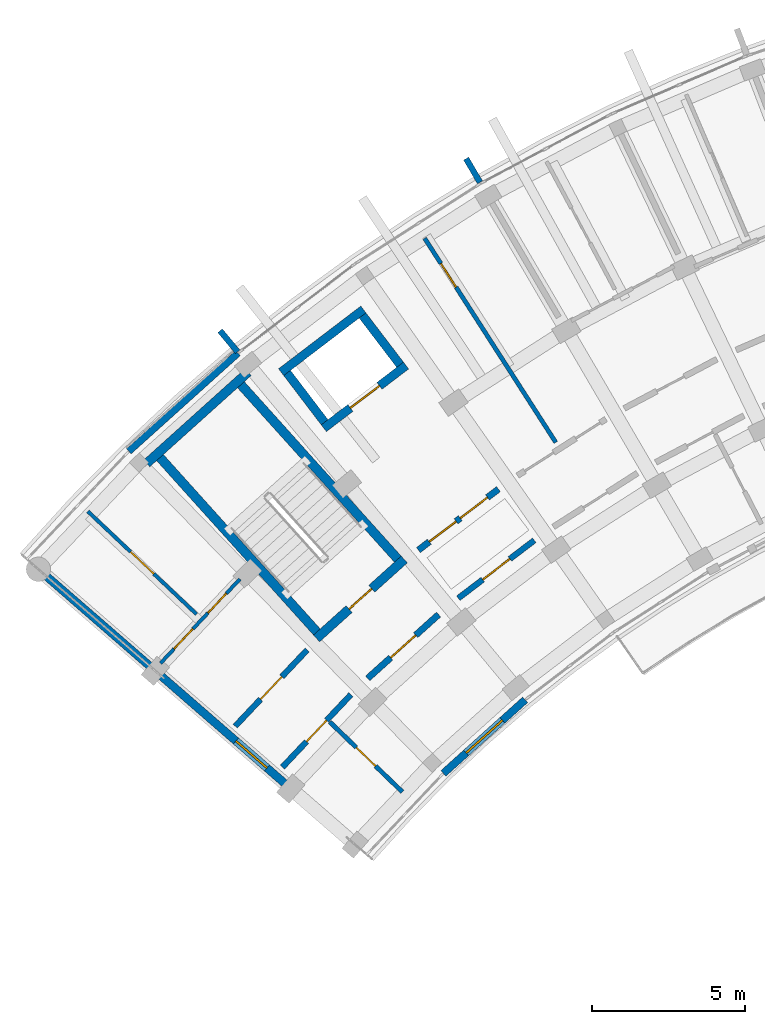
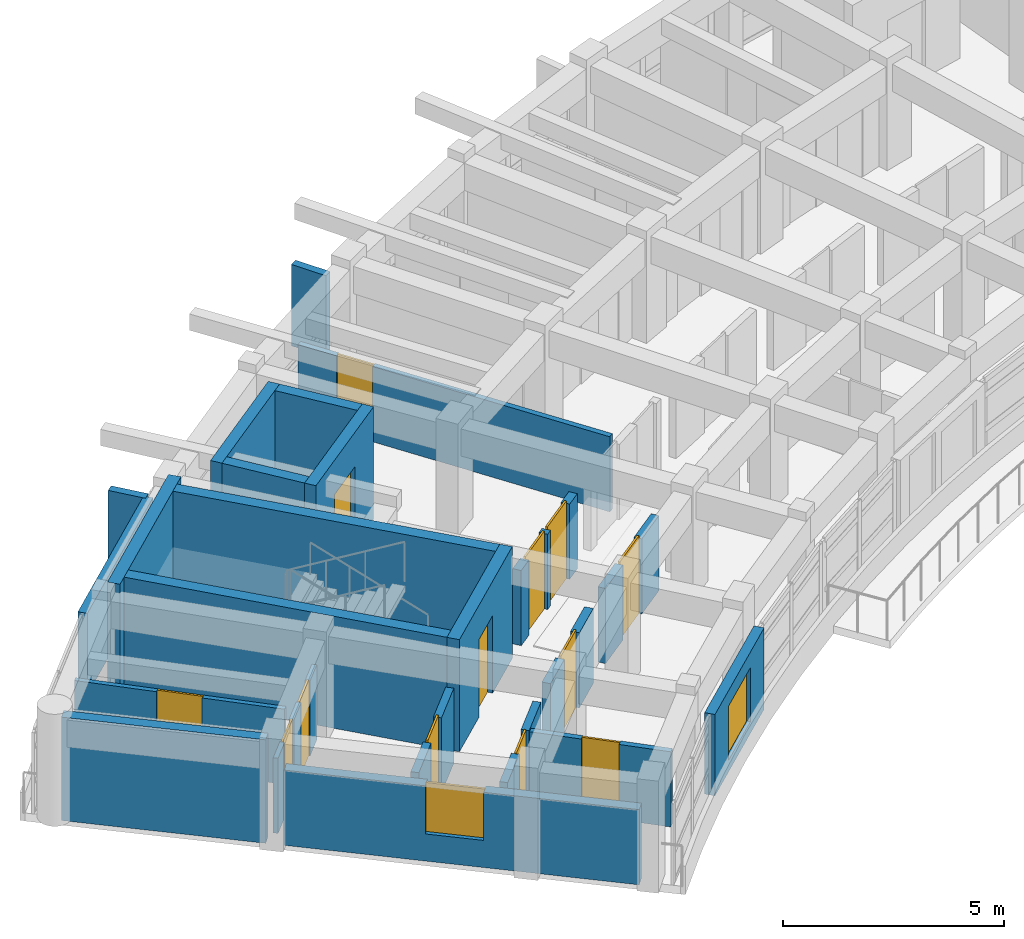
# One storey, part 27 of 56: 23 walls, 13 doors, 2 windows, 15 openings.
"""IFC4 building model written with IfcOpenShell, lengths in metres."""

from ifc_helpers import new_model, si_unit, direction, frame, frame_2d, origin, place, context, subcontext, project, spatial, rectangle, extrude, material, layer, layer_set, type_object, element, fill, save


model = new_model("IFC4")

# Units and contexts
model_context = context("Model", 3, precision=1e-05, world=origin(), true_north=direction((0.0, 1.0)))
body_context = subcontext(model_context, "Body", "Model", "MODEL_VIEW")
ifc_project = project(units=[si_unit("LENGTHUNIT", "METRE"), si_unit("AREAUNIT", "SQUARE_METRE"), si_unit("VOLUMEUNIT", "CUBIC_METRE"), si_unit("PLANEANGLEUNIT", "RADIAN"), si_unit("MASSUNIT", "GRAM", prefix="KILO")], contexts=[model_context])

# Site, building, storey
site_placement = place(None, origin())
site = spatial("IfcSite", under=ifc_project, at=site_placement, CompositionType="ELEMENT")
building_placement = place(site_placement, origin())
building = spatial("IfcBuilding", under=site, at=building_placement, Name="Zimvara Arc Housing Community", CompositionType="ELEMENT")
storey_placement = place(building_placement, frame((0.0, 0.0, 11.199951171875)))
storey = spatial("IfcBuildingStorey", under=building, at=storey_placement, Name="L03", CompositionType="ELEMENT", Elevation=11.199951171875)

# Wall, opening, window
ifc_material_1 = material(Name="Board-Marked Fair-Faced Concrete C35/45", Category="concrete")
ifc_layer_1 = layer(ifc_material_1, 0.264892578125)
ifc_layer_set_1 = layer_set([ifc_layer_1], Name="Board-Marked Fair-Faced Concrete C35/45")
wall_type_1 = type_object("IfcWallType", Name="EWL-CONC-265", PredefinedType="SOLIDWALL", material=ifc_layer_set_1)
wall_1_placement = place(storey_placement, frame((10.766357421875, 74.2587890625, 0.0), z_axis=(0.0, 0.0, 1.0), x_axis=(-0.754717680958, 0.656049710044, 0.0)))
wall_1 = element("IfcWall", 1, at=wall_1_placement, inside=storey, type_object=wall_type_1, Name="ewall:blkA:L03:g0", PredefinedType="SOLIDWALL", context=body_context, shape_type="SweptSolid", body=[
    extrude(rectangle(XDim=8.199951171875, YDim=0.264892578125, at=frame_2d((4.10009765625, 0.0))), origin(), (0.0, 0.0, 1.0), 2.080078125),
])
opening_1_placement = place(wall_1_placement, frame((3.590087890625, 0.0, 0.75)))
opening_1 = element("IfcOpeningElement", 2, at=opening_1_placement, cuts=wall_1, Name="Opening W12", PredefinedType="OPENING", context=body_context, shape_type="SweptSolid", body=[
    extrude(rectangle(XDim=1.35009765625, YDim=1.35009765625, at=frame_2d((0.675048828125, 0.675048828125))), frame((0.0, 0.142333984375, 0.0), z_axis=(0.0, -1.0, 0.0), x_axis=(1.0, 0.0, 0.0)), (0.0, 0.0, 1.0), 0.284912109375),
])
ifc_material_2 = material(Name="Solar Control Low-E Double Glazing", Category="glass")
window_type_1 = type_object("IfcWindowType", Name="WIN-RES-1350x1350", PartitioningType="DOUBLE_PANEL_VERTICAL", PredefinedType="WINDOW", material=ifc_material_2)
window_1_placement = place(opening_1_placement, origin())
window_1 = element("IfcWindow", 3, at=window_1_placement, inside=storey, type_object=window_type_1, Name="win:blkA:L03:g0:w", OverallHeight=1.35009765625, OverallWidth=1.35009765625, PartitioningType="DOUBLE_PANEL_VERTICAL", PredefinedType="WINDOW", context=body_context, shape_type="SweptSolid", body=[
    extrude(rectangle(XDim=1.35009765625, YDim=1.35009765625, at=frame_2d((0.675048828125, 0.675048828125))), frame((0.0, 0.030029296875, 0.0), z_axis=(0.0, -1.0, 0.0), x_axis=(1.0, 0.0, 0.0)), (0.0, 0.0, 1.0), 0.06005859375),
])
fill(opening_1, window_1)

# Walls
ifc_material_3 = material(Name="Board-Marked Fair-Faced Concrete C35/45", Category="concrete")
ifc_layer_2 = layer(ifc_material_3, 0.195068359375)
ifc_layer_set_2 = layer_set([ifc_layer_2], Name="Board-Marked Fair-Faced Concrete C35/45")
wall_type_2 = type_object("IfcWallType", Name="EWL-PARA-195", PredefinedType="PARAPET", material=ifc_layer_set_2)
wall_2_placement = place(storey_placement, frame((7.09228515625, 90.25732421875, 0.0), z_axis=(0.0, 0.0, 1.0), x_axis=(-0.637967316825, 0.770063440674, 0.0)))
element("IfcWall", 4, at=wall_2_placement, inside=storey, type_object=wall_type_2, Name="finwall:blkA:L03:out:b2", PredefinedType="PARAPET", context=body_context, shape_type="SweptSolid", body=[
    extrude(rectangle(XDim=0.900146484375, YDim=0.195068359375, at=frame_2d((0.4501953125, 0.0))), origin(), (0.0, 0.0, 1.0), 2.25),
])
wall_3_placement = place(storey_placement, frame((15.038818359375, 95.8134765625, 0.0), z_axis=(0.0, 0.0, 1.0), x_axis=(-0.504326383773, 0.863513114336, 0.0)))
element("IfcWall", 5, at=wall_3_placement, inside=storey, type_object=wall_type_2, Name="finwall:blkA:L03:out:b4", PredefinedType="PARAPET", context=body_context, shape_type="SweptSolid", body=[
    extrude(rectangle(XDim=0.89990234375, YDim=0.195068359375, at=frame_2d((0.449951171875, 0.0))), origin(), (0.0, 0.0, 1.0), 2.25),
])

# Wall, opening, window
ifc_material_4 = material(Name="Pigmented Fair-Faced Concrete C35/45", Category="concrete")
ifc_layer_3 = layer(ifc_material_4, 0.2451171875)
ifc_layer_set_3 = layer_set([ifc_layer_3], Name="Pigmented Fair-Faced Concrete C35/45")
wall_type_3 = type_object("IfcWallType", Name="EWL-PIGM-245", PredefinedType="SOLIDWALL", material=ifc_layer_set_3)
wall_4_placement = place(storey_placement, frame((13.84033203125, 76.436767578125, 0.0), z_axis=(0.0, 0.0, 1.0), x_axis=(0.743385092197, 0.668863666751, 0.0)))
wall_4 = element("IfcWall", 6, at=wall_4_placement, inside=storey, type_object=wall_type_3, Name="ewall:blkA:L03:in:b1", PredefinedType="SOLIDWALL", context=body_context, shape_type="SweptSolid", body=[
    extrude(rectangle(XDim=3.603759765625, YDim=0.2451171875, at=frame_2d((1.8017578125, 0.0))), origin(), (0.0, 0.0, 1.0), 2.25),
])
opening_2_placement = place(wall_4_placement, frame((1.001708984375, 0.0, 0.320068359375)))
opening_2 = element("IfcOpeningElement", 7, at=opening_2_placement, cuts=wall_4, Name="Opening W03", PredefinedType="OPENING", context=body_context, shape_type="SweptSolid", body=[
    extrude(rectangle(XDim=1.60009765625, YDim=1.5, at=frame_2d((0.800048828125, 0.75))), frame((0.0, 0.132568359375, 0.0), z_axis=(0.0, -1.0, 0.0), x_axis=(1.0, 0.0, 0.0)), (0.0, 0.0, 1.0), 0.26513671875),
])
ifc_material_5 = material(Name="Solar Control Low-E Double Glazing", Category="glass")
window_type_2 = type_object("IfcWindowType", Name="WIN-RES-1600x1500", PartitioningType="DOUBLE_PANEL_VERTICAL", PredefinedType="WINDOW", material=ifc_material_5)
window_2_placement = place(opening_2_placement, origin())
window_2 = element("IfcWindow", 8, at=window_2_placement, inside=storey, type_object=window_type_2, Name="win:blkA:L03:in:b1", OverallHeight=1.5, OverallWidth=1.60009765625, PartitioningType="DOUBLE_PANEL_VERTICAL", PredefinedType="WINDOW", context=body_context, shape_type="SweptSolid", body=[
    extrude(rectangle(XDim=1.60009765625, YDim=1.5, at=frame_2d((0.800048828125, 0.75))), frame((0.0, 0.030029296875, 0.0), z_axis=(0.0, -1.0, 0.0), x_axis=(1.0, 0.0, 0.0)), (0.0, 0.0, 1.0), 0.06005859375),
])
fill(opening_2, window_2)

# Wall
ifc_material_6 = material(Name="Board-Marked Fair-Faced Concrete C35/45", Category="concrete")
ifc_layer_4 = layer(ifc_material_6, 0.22412109375)
ifc_layer_set_4 = layer_set([ifc_layer_4], Name="Board-Marked Fair-Faced Concrete C35/45")
wall_type_4 = type_object("IfcWallType", Name="EWL-VAR-13", PredefinedType="SOLIDWALL", material=ifc_layer_set_4)
wall_5_placement = place(storey_placement, frame((3.528076171875, 86.996826171875, 0.0), z_axis=(0.0, 0.0, 1.0), x_axis=(0.743387539862, 0.668860946369, 0.0)))
element("IfcWall", 9, at=wall_5_placement, inside=storey, type_object=wall_type_4, Name="ewall:blkA:L03:out:b1", PredefinedType="SOLIDWALL", context=body_context, shape_type="SweptSolid", body=[
    extrude(rectangle(XDim=4.80908203125, YDim=0.22412109375, at=frame_2d((2.404541015625, 0.0))), origin(), (0.0, 0.0, 1.0), 2.25),
])

# Wall, opening, door
ifc_material_7 = material(Name="Concrete C35/45", Category="concrete")
ifc_layer_5 = layer(ifc_material_7, 0.2099609375)
ifc_layer_set_5 = layer_set([ifc_layer_5], Name="Concrete C35/45")
wall_type_5 = type_object("IfcWallType", Name="IWL-CCF-210", PredefinedType="SOLIDWALL", material=ifc_layer_set_5)
wall_6_placement = place(storey_placement, frame((11.357177734375, 79.5517578125, 0.0), z_axis=(0.0, 0.0, 1.0), x_axis=(0.743387266925, 0.668861249718, 0.0)))
wall_6 = element("IfcWall", 10, at=wall_6_placement, inside=storey, type_object=wall_type_5, Name="iwall:blkA:L03:ccf_div:b1", PredefinedType="SOLIDWALL", context=body_context, shape_type="SweptSolid", body=[
    extrude(rectangle(XDim=3.12841796875, YDim=0.2099609375, at=frame_2d((1.564208984375, 0.0))), origin(), (0.0, 0.0, 1.0), 2.080078125),
])
opening_3_placement = place(wall_6_placement, frame((1.014404296875, 0.0, 0.0)))
opening_3 = element("IfcOpeningElement", 11, at=opening_3_placement, cuts=wall_6, Name="Opening FD-CCF1", PredefinedType="OPENING", context=body_context, shape_type="SweptSolid", body=[
    extrude(rectangle(XDim=1.10009765625, YDim=2.14990234375, at=frame_2d((0.550048828125, 1.074951171875))), frame((0.0, 0.114990234375, 0.0), z_axis=(0.0, -1.0, 0.0), x_axis=(1.0, 0.0, 0.0)), (0.0, 0.0, 1.0), 0.22998046875),
])
ifc_material_8 = material(Name="Anodised Aluminium AW-6063", Category="aluminium")
door_type_1 = type_object("IfcDoorType", Name="IDR-CCF-1100x2150", OperationType="NOTDEFINED", PredefinedType="DOOR", material=ifc_material_8)
door_1_placement = place(opening_3_placement, origin())
door_1 = element("IfcDoor", 12, at=door_1_placement, inside=storey, type_object=door_type_1, Name="idoor:blkA:L03:ccf_in:b1", OperationType="SINGLE_SWING_RIGHT", OverallHeight=2.14990234375, OverallWidth=1.10009765625, PredefinedType="DOOR", context=body_context, shape_type="SweptSolid", body=[
    extrude(rectangle(XDim=1.10009765625, YDim=2.14990234375, at=frame_2d((0.550048828125, 1.074951171875))), frame((0.0, 0.02490234375, 0.0), z_axis=(0.0, -1.0, 0.0), x_axis=(1.0, 0.0, 0.0)), (0.0, 0.0, 1.0), 0.050048828125),
])
fill(opening_3, door_1)

# Wall, openings, doors
wall_7_placement = place(storey_placement, frame((13.021240234375, 83.758544921875, 0.0), z_axis=(0.0, 0.0, 1.0), x_axis=(0.795498026433, 0.605956178235, 0.0)))
wall_7 = element("IfcWall", 13, at=wall_7_placement, inside=storey, type_object=wall_type_5, Name="iwall:blkA:L03:ll_div:b2", PredefinedType="SOLIDWALL", context=body_context, shape_type="SweptSolid", body=[
    extrude(rectangle(XDim=3.296142578125, YDim=0.2099609375, at=frame_2d((1.64794921875, 0.0))), origin(), (0.0, 0.0, 1.0), 2.080078125),
])
opening_4_placement = place(wall_7_placement, frame((0.449951171875, 0.0, 0.0)))
opening_4 = element("IfcOpeningElement", 14, at=opening_4_placement, cuts=wall_7, Name="Opening FD-CCF1", PredefinedType="OPENING", context=body_context, shape_type="SweptSolid", body=[
    extrude(rectangle(XDim=1.10009765625, YDim=2.14990234375, at=frame_2d((0.550048828125, 1.074951171875))), frame((0.0, 0.114990234375, 0.0), z_axis=(0.0, -1.0, 0.0), x_axis=(1.0, 0.0, 0.0)), (0.0, 0.0, 1.0), 0.22998046875),
])
opening_5_placement = place(wall_7_placement, frame((1.72607421875, 0.0, 0.0)))
opening_5 = element("IfcOpeningElement", 15, at=opening_5_placement, cuts=wall_7, Name="Opening D07", PredefinedType="OPENING", context=body_context, shape_type="SweptSolid", body=[
    extrude(rectangle(XDim=1.1201171875, YDim=2.14990234375, at=frame_2d((0.56005859375, 1.074951171875))), frame((0.0, 0.114990234375, 0.0), z_axis=(0.0, -1.0, 0.0), x_axis=(1.0, 0.0, 0.0)), (0.0, 0.0, 1.0), 0.22998046875),
])
ifc_material_9 = material(Name="Mozambican Hardwood", Category="wood")
door_type_2 = type_object("IfcDoorType", Name="IDR-AMN-1120x2150", OperationType="NOTDEFINED", PredefinedType="DOOR", material=ifc_material_9)
door_2_placement = place(opening_5_placement, origin())
door_2 = element("IfcDoor", 16, at=door_2_placement, inside=storey, type_object=door_type_2, Name="idoor:blkA:L03:rs_in:b2", OperationType="SINGLE_SWING_RIGHT", OverallHeight=2.14990234375, OverallWidth=1.1201171875, PredefinedType="DOOR", context=body_context, shape_type="SweptSolid", body=[
    extrude(rectangle(XDim=1.1201171875, YDim=2.14990234375, at=frame_2d((0.56005859375, 1.074951171875))), frame((0.0, 0.02490234375, 0.0), z_axis=(0.0, -1.0, 0.0), x_axis=(1.0, 0.0, 0.0)), (0.0, 0.0, 1.0), 0.050048828125),
])
fill(opening_5, door_2)
door_3_placement = place(opening_4_placement, origin())
door_3 = element("IfcDoor", 17, at=door_3_placement, inside=storey, type_object=door_type_1, Name="idoor:blkA:L03:ll_in:b2", OperationType="SINGLE_SWING_LEFT", OverallHeight=2.14990234375, OverallWidth=1.10009765625, PredefinedType="DOOR", context=body_context, shape_type="SweptSolid", body=[
    extrude(rectangle(XDim=1.10009765625, YDim=2.14990234375, at=frame_2d((0.550048828125, 1.074951171875))), frame((0.0, 0.02490234375, 0.0), z_axis=(0.0, -1.0, 0.0), x_axis=(1.0, 0.0, 0.0)), (0.0, 0.0, 1.0), 0.050048828125),
])
fill(opening_4, door_3)

# Wall, opening, door
ifc_material_10 = material(Name="Concrete C35/45", Category="concrete")
ifc_layer_6 = layer(ifc_material_10, 0.18994140625)
ifc_layer_set_6 = layer_set([ifc_layer_6], Name="Concrete C35/45")
wall_type_6 = type_object("IfcWallType", Name="IWL-CORR-190", PredefinedType="SOLIDWALL", material=ifc_layer_set_6)
wall_8_placement = place(storey_placement, frame((7.01416015625, 77.98388671875, 0.0), z_axis=(0.0, 0.0, 1.0), x_axis=(0.686310507227, 0.727308660522, 0.0)))
wall_8 = element("IfcWall", 18, at=wall_8_placement, inside=storey, type_object=wall_type_6, Name="iwall:blkA:L03:corr_out:b0", PredefinedType="SOLIDWALL", context=body_context, shape_type="SweptSolid", body=[
    extrude(rectangle(XDim=3.43603515625, YDim=0.18994140625, at=frame_2d((1.718017578125, 0.0))), origin(), (0.0, 0.0, 1.0), 2.080078125),
])
opening_6_placement = place(wall_8_placement, frame((1.2080078125, 0.0, 0.0)))
opening_6 = element("IfcOpeningElement", 19, at=opening_6_placement, cuts=wall_8, Name="Opening FD-FL2", PredefinedType="OPENING", context=body_context, shape_type="SweptSolid", body=[
    extrude(rectangle(XDim=1.02001953125, YDim=2.14990234375, at=frame_2d((0.510009765625, 1.074951171875))), frame((0.0, 0.10498046875, 0.0), z_axis=(0.0, -1.0, 0.0), x_axis=(1.0, 0.0, 0.0)), (0.0, 0.0, 1.0), 0.2099609375),
])
ifc_material_11 = material(Name="Mozambican Hardwood", Category="wood")
door_type_3 = type_object("IfcDoorType", Name="IDR-FLAT-1020x2150", OperationType="NOTDEFINED", PredefinedType="DOOR", material=ifc_material_11)
door_4_placement = place(opening_6_placement, origin())
door_4 = element("IfcDoor", 20, at=door_4_placement, inside=storey, type_object=door_type_3, Name="idoor:blkA:L03:flat:b0", OperationType="SINGLE_SWING_RIGHT", OverallHeight=2.14990234375, OverallWidth=1.02001953125, PredefinedType="DOOR", context=body_context, shape_type="SweptSolid", body=[
    extrude(rectangle(XDim=1.02001953125, YDim=2.14990234375, at=frame_2d((0.510009765625, 1.074951171875))), frame((0.0, 0.02490234375, 0.0), z_axis=(0.0, -1.0, 0.0), x_axis=(1.0, 0.0, 0.0)), (0.0, 0.0, 1.0), 0.050048828125),
])
fill(opening_6, door_4)

wall_9_placement = place(storey_placement, frame((8.561279296875, 76.638916015625, 0.0), z_axis=(0.0, 0.0, 1.0), x_axis=(0.686307658735, 0.727311348434, 0.0)))
wall_9 = element("IfcWall", 21, at=wall_9_placement, inside=storey, type_object=wall_type_6, Name="iwall:blkA:L03:corr_in:b0", PredefinedType="SOLIDWALL", context=body_context, shape_type="SweptSolid", body=[
    extrude(rectangle(XDim=3.268798828125, YDim=0.18994140625, at=frame_2d((1.63427734375, 0.0))), origin(), (0.0, 0.0, 1.0), 2.080078125),
])
opening_7_placement = place(wall_9_placement, frame((1.154296875, 0.0, 0.0)))
opening_7 = element("IfcOpeningElement", 22, at=opening_7_placement, cuts=wall_9, Name="Opening D04", PredefinedType="OPENING", context=body_context, shape_type="SweptSolid", body=[
    extrude(rectangle(XDim=0.9599609375, YDim=2.10009765625, at=frame_2d((0.47998046875, 1.050048828125))), frame((0.0, 0.10498046875, 0.0), z_axis=(0.0, -1.0, 0.0), x_axis=(1.0, 0.0, 0.0)), (0.0, 0.0, 1.0), 0.2099609375),
])
ifc_material_12 = material(Name="Mozambican Hardwood", Category="wood")
door_type_4 = type_object("IfcDoorType", Name="IDR-RM-0960x2100", OperationType="NOTDEFINED", PredefinedType="DOOR", material=ifc_material_12)
door_5_placement = place(opening_7_placement, origin())
door_5 = element("IfcDoor", 23, at=door_5_placement, inside=storey, type_object=door_type_4, Name="idoor:blkA:L03:in_rm:b0", OperationType="SINGLE_SWING_LEFT", OverallHeight=2.10009765625, OverallWidth=0.9599609375, PredefinedType="DOOR", context=body_context, shape_type="SweptSolid", body=[
    extrude(rectangle(XDim=0.9599609375, YDim=2.10009765625, at=frame_2d((0.47998046875, 1.050048828125))), frame((0.0, 0.02490234375, 0.0), z_axis=(0.0, -1.0, 0.0), x_axis=(1.0, 0.0, 0.0)), (0.0, 0.0, 1.0), 0.050048828125),
])
fill(opening_7, door_5)

wall_10_placement = place(storey_placement, frame((14.3291015625, 82.179931640625, 0.0), z_axis=(0.0, 0.0, 1.0), x_axis=(0.795501577908, 0.605951515838, 0.0)))
wall_10 = element("IfcWall", 24, at=wall_10_placement, inside=storey, type_object=wall_type_6, Name="iwall:blkA:L03:ra_div:b2", PredefinedType="SOLIDWALL", context=body_context, shape_type="SweptSolid", body=[
    extrude(rectangle(XDim=3.128662109375, YDim=0.18994140625, at=frame_2d((1.564453125, 0.0))), origin(), (0.0, 0.0, 1.0), 2.080078125),
])
opening_8_placement = place(wall_10_placement, frame((1.00439453125, 0.0, 0.0)))
opening_8 = element("IfcOpeningElement", 25, at=opening_8_placement, cuts=wall_10, Name="Opening D07", PredefinedType="OPENING", context=body_context, shape_type="SweptSolid", body=[
    extrude(rectangle(XDim=1.1201171875, YDim=2.14990234375, at=frame_2d((0.56005859375, 1.074951171875))), frame((0.0, 0.10498046875, 0.0), z_axis=(0.0, -1.0, 0.0), x_axis=(1.0, 0.0, 0.0)), (0.0, 0.0, 1.0), 0.2099609375),
])
door_6_placement = place(opening_8_placement, origin())
door_6 = element("IfcDoor", 26, at=door_6_placement, inside=storey, type_object=door_type_2, Name="idoor:blkA:L03:ra_d:b2", OperationType="SINGLE_SWING_LEFT", OverallHeight=2.14990234375, OverallWidth=1.1201171875, PredefinedType="DOOR", context=body_context, shape_type="SweptSolid", body=[
    extrude(rectangle(XDim=1.1201171875, YDim=2.14990234375, at=frame_2d((0.56005859375, 1.074951171875))), frame((0.0, 0.02490234375, 0.0), z_axis=(0.0, -1.0, 0.0), x_axis=(1.0, 0.0, 0.0)), (0.0, 0.0, 1.0), 0.050048828125),
])
fill(opening_8, door_6)

# Wall, openings, doors
ifc_material_13 = material(Name="Painted Acoustic Plasterboard")
ifc_layer_7 = layer(ifc_material_13, 0.114990234375)
ifc_layer_set_7 = layer_set([ifc_layer_7], Name="Painted Acoustic Plasterboard")
wall_type_7 = type_object("IfcWallType", Name="IWL-PART-115", PredefinedType="PARTITIONING", material=ifc_layer_set_7)
wall_11_placement = place(storey_placement, frame((4.564697265625, 80.046875, 0.0), z_axis=(0.0, 0.0, 1.0), x_axis=(0.686300649561, 0.727317962388, 0.0)))
wall_11 = element("IfcWall", 27, at=wall_11_placement, inside=storey, type_object=wall_type_7, Name="iwall:blkA:L03:srv:b0", PredefinedType="PARTITIONING", context=body_context, shape_type="SweptSolid", body=[
    extrude(rectangle(XDim=3.79736328125, YDim=0.114990234375, at=frame_2d((1.898681640625, 0.0))), origin(), (0.0, 0.0, 1.0), 2.080078125),
])
opening_9_placement = place(wall_11_placement, frame((0.64990234375, 0.0, 0.0)))
opening_9 = element("IfcOpeningElement", 28, at=opening_9_placement, cuts=wall_11, Name="Opening D01", PredefinedType="OPENING", context=body_context, shape_type="SweptSolid", body=[
    extrude(rectangle(XDim=0.89990234375, YDim=2.10009765625, at=frame_2d((0.449951171875, 1.050048828125))), frame((0.0, 0.0673828125, 0.0), z_axis=(0.0, -1.0, 0.0), x_axis=(1.0, 0.0, 0.0)), (0.0, 0.0, 1.0), 0.135009765625),
])
opening_10_placement = place(wall_11_placement, frame((2.267333984375, 0.0, 0.0)))
opening_10 = element("IfcOpeningElement", 29, at=opening_10_placement, cuts=wall_11, Name="Opening D05", PredefinedType="OPENING", context=body_context, shape_type="SweptSolid", body=[
    extrude(rectangle(XDim=0.8798828125, YDim=2.10009765625, at=frame_2d((0.43994140625, 1.050048828125))), frame((0.0, 0.0673828125, 0.0), z_axis=(0.0, -1.0, 0.0), x_axis=(1.0, 0.0, 0.0)), (0.0, 0.0, 1.0), 0.135009765625),
])
ifc_material_14 = material(Name="Mozambican Hardwood", Category="wood")
door_type_5 = type_object("IfcDoorType", Name="IDR-RM-0900x2100", OperationType="NOTDEFINED", PredefinedType="DOOR", material=ifc_material_14)
door_7_placement = place(opening_9_placement, origin())
door_7 = element("IfcDoor", 30, at=door_7_placement, inside=storey, type_object=door_type_5, Name="idoor:blkA:L03:kit_liv:b0", OperationType="SINGLE_SWING_LEFT", OverallHeight=2.10009765625, OverallWidth=0.89990234375, PredefinedType="DOOR", context=body_context, shape_type="SweptSolid", body=[
    extrude(rectangle(XDim=0.89990234375, YDim=2.10009765625, at=frame_2d((0.449951171875, 1.050048828125))), frame((0.0, 0.02490234375, 0.0), z_axis=(0.0, -1.0, 0.0), x_axis=(1.0, 0.0, 0.0)), (0.0, 0.0, 1.0), 0.050048828125),
])
fill(opening_9, door_7)
ifc_material_15 = material(Name="Mozambican Hardwood", Category="wood")
door_type_6 = type_object("IfcDoorType", Name="IDR-WC-0880x2100", OperationType="NOTDEFINED", PredefinedType="DOOR", material=ifc_material_15)
door_8_placement = place(opening_10_placement, origin())
door_8 = element("IfcDoor", 31, at=door_8_placement, inside=storey, type_object=door_type_6, Name="idoor:blkA:L03:bath_d:b0", OperationType="SINGLE_SWING_RIGHT", OverallHeight=2.10009765625, OverallWidth=0.8798828125, PredefinedType="DOOR", context=body_context, shape_type="SweptSolid", body=[
    extrude(rectangle(XDim=0.8798828125, YDim=2.10009765625, at=frame_2d((0.43994140625, 1.050048828125))), frame((0.0, 0.02490234375, 0.0), z_axis=(0.0, -1.0, 0.0), x_axis=(1.0, 0.0, 0.0)), (0.0, 0.0, 1.0), 0.050048828125),
])
fill(opening_10, door_8)

# Wall, opening, door
ifc_material_16 = material(Name="Painted Acoustic Plasterboard")
ifc_layer_8 = layer(ifc_material_16, 0.1201171875)
ifc_layer_set_8 = layer_set([ifc_layer_8], Name="Painted Acoustic Plasterboard")
wall_type_8 = type_object("IfcWallType", Name="IWL-PART-120", PredefinedType="PARTITIONING", material=ifc_layer_set_8)
wall_12_placement = place(storey_placement, frame((5.745849609375, 81.6552734375, 0.0), z_axis=(0.0, 0.0, 1.0), x_axis=(-0.726295620759, 0.687382478149, 0.0)))
wall_12 = element("IfcWall", 32, at=wall_12_placement, inside=storey, type_object=wall_type_8, Name="iwall:blkA:L03:bed_div:b0", PredefinedType="PARTITIONING", context=body_context, shape_type="SweptSolid", body=[
    extrude(rectangle(XDim=4.89990234375, YDim=0.1201171875, at=frame_2d((2.449951171875, 0.0))), origin(), (0.0, 0.0, 1.0), 2.080078125),
])
opening_11_placement = place(wall_12_placement, frame((1.919921875, 0.0, 0.0)))
opening_11 = element("IfcOpeningElement", 33, at=opening_11_placement, cuts=wall_12, Name="Opening D16", PredefinedType="OPENING", context=body_context, shape_type="SweptSolid", body=[
    extrude(rectangle(XDim=1.06005859375, YDim=2.10009765625, at=frame_2d((0.530029296875, 1.050048828125))), frame((0.0, 0.070068359375, 0.0), z_axis=(0.0, -1.0, 0.0), x_axis=(1.0, 0.0, 0.0)), (0.0, 0.0, 1.0), 0.14013671875),
])
ifc_material_17 = material(Name="Mozambican Hardwood", Category="wood")
door_type_7 = type_object("IfcDoorType", Name="IDR-MOD-1060x2220", OperationType="NOTDEFINED", PredefinedType="DOOR", material=ifc_material_17)
door_9_placement = place(opening_11_placement, origin())
door_9 = element("IfcDoor", 34, at=door_9_placement, inside=storey, type_object=door_type_7, Name="idoor:blkA:L03:bed_d:b0", OperationType="SINGLE_SWING_LEFT", OverallHeight=2.10009765625, OverallWidth=1.06005859375, PredefinedType="DOOR", context=body_context, shape_type="SweptSolid", body=[
    extrude(rectangle(XDim=1.06005859375, YDim=2.10009765625, at=frame_2d((0.530029296875, 1.050048828125))), frame((0.0, 0.02490234375, 0.0), z_axis=(0.0, -1.0, 0.0), x_axis=(1.0, 0.0, 0.0)), (0.0, 0.0, 1.0), 0.050048828125),
])
fill(opening_11, door_9)

ifc_material_18 = material(Name="Painted Acoustic Plasterboard")
ifc_layer_9 = layer(ifc_material_18, 0.139892578125)
ifc_layer_set_9 = layer_set([ifc_layer_9], Name="Painted Acoustic Plasterboard")
wall_type_9 = type_object("IfcWallType", Name="IWL-PART-140", PredefinedType="PARTITIONING", material=ifc_layer_set_9)
wall_13_placement = place(storey_placement, frame((17.52392578125, 87.287841796875, 0.0), z_axis=(0.0, 0.0, 1.0), x_axis=(-0.540338452216, 0.841447774408, 0.0)))
wall_13 = element("IfcWall", 35, at=wall_13_placement, inside=storey, type_object=wall_type_9, Name="iwall:blkA:L03:amen_div:b3", PredefinedType="PARTITIONING", context=body_context, shape_type="SweptSolid", body=[
    extrude(rectangle(XDim=7.949951171875, YDim=0.139892578125, at=frame_2d((3.97509765625, 0.0))), origin(), (0.0, 0.0, 1.0), 2.080078125),
])
opening_12_placement = place(wall_13_placement, frame((6.050048828125, 0.0, 0.0)))
opening_12 = element("IfcOpeningElement", 36, at=opening_12_placement, cuts=wall_13, Name="Opening D02", PredefinedType="OPENING", context=body_context, shape_type="SweptSolid", body=[
    extrude(rectangle(XDim=0.919921875, YDim=2.10009765625, at=frame_2d((0.4599609375, 1.050048828125))), frame((0.0, 0.079833984375, 0.0), z_axis=(0.0, -1.0, 0.0), x_axis=(1.0, 0.0, 0.0)), (0.0, 0.0, 1.0), 0.159912109375),
])
ifc_material_19 = material(Name="Mozambican Hardwood", Category="wood")
door_type_8 = type_object("IfcDoorType", Name="IDR-RM-0920x2100", OperationType="NOTDEFINED", PredefinedType="DOOR", material=ifc_material_19)
door_10_placement = place(opening_12_placement, origin())
door_10 = element("IfcDoor", 37, at=door_10_placement, inside=storey, type_object=door_type_8, Name="idoor:blkA:L03:laund_d:b3", OperationType="SINGLE_SWING_LEFT", OverallHeight=2.10009765625, OverallWidth=0.919921875, PredefinedType="DOOR", context=body_context, shape_type="SweptSolid", body=[
    extrude(rectangle(XDim=0.919921875, YDim=2.10009765625, at=frame_2d((0.4599609375, 1.050048828125))), frame((0.0, 0.02490234375, 0.0), z_axis=(0.0, -1.0, 0.0), x_axis=(1.0, 0.0, 0.0)), (0.0, 0.0, 1.0), 0.050048828125),
])
fill(opening_12, door_10)

ifc_material_20 = material(Name="Painted Acoustic Plasterboard")
ifc_layer_10 = layer(ifc_material_20, 0.14501953125)
ifc_layer_set_10 = layer_set([ifc_layer_10], Name="Painted Acoustic Plasterboard")
wall_type_10 = type_object("IfcWallType", Name="IWL-WET-145", PredefinedType="PARTITIONING", material=ifc_layer_set_10)
wall_14_placement = place(storey_placement, frame((12.49169921875, 75.83251953125, 0.0), z_axis=(0.0, 0.0, 1.0), x_axis=(-0.720043614644, 0.693928809757, 0.0)))
wall_14 = element("IfcWall", 38, at=wall_14_placement, inside=storey, type_object=wall_type_10, Name="iwall:blkA:L03:ens:b0", PredefinedType="PARTITIONING", context=body_context, shape_type="SweptSolid", body=[
    extrude(rectangle(XDim=3.300048828125, YDim=0.14501953125, at=frame_2d((1.64990234375, 0.0))), origin(), (0.0, 0.0, 1.0), 2.080078125),
])
opening_13_placement = place(wall_14_placement, frame((1.2099609375, 0.0, 0.0)))
opening_13 = element("IfcOpeningElement", 39, at=opening_13_placement, cuts=wall_14, Name="Opening D05", PredefinedType="OPENING", context=body_context, shape_type="SweptSolid", body=[
    extrude(rectangle(XDim=0.8798828125, YDim=2.10009765625, at=frame_2d((0.43994140625, 1.050048828125))), frame((0.0, 0.08251953125, 0.0), z_axis=(0.0, -1.0, 0.0), x_axis=(1.0, 0.0, 0.0)), (0.0, 0.0, 1.0), 0.1650390625),
])
door_11_placement = place(opening_13_placement, origin())
door_11 = element("IfcDoor", 40, at=door_11_placement, inside=storey, type_object=door_type_6, Name="idoor:blkA:L03:ens_d:b0", OperationType="SINGLE_SWING_RIGHT", OverallHeight=2.10009765625, OverallWidth=0.8798828125, PredefinedType="DOOR", context=body_context, shape_type="SweptSolid", body=[
    extrude(rectangle(XDim=0.8798828125, YDim=2.10009765625, at=frame_2d((0.43994140625, 1.050048828125))), frame((0.0, 0.02490234375, 0.0), z_axis=(0.0, -1.0, 0.0), x_axis=(1.0, 0.0, 0.0)), (0.0, 0.0, 1.0), 0.050048828125),
])
fill(opening_13, door_11)

ifc_material_21 = material(Name="Concrete C40/50", Category="concrete")
ifc_layer_11 = layer(ifc_material_21, 0.280029296875)
ifc_layer_set_11 = layer_set([ifc_layer_11], Name="Concrete C40/50")
wall_type_11 = type_object("IfcWallType", Name="WL-CORE-280", PredefinedType="SHEAR", material=ifc_layer_set_11)
wall_15_placement = place(storey_placement, frame((12.615966796875, 89.80712890625, 0.0), z_axis=(0.0, 0.0, 1.0), x_axis=(-0.795474703455, -0.605986795371, 0.0)))
wall_15 = element("IfcWall", 41, at=wall_15_placement, inside=storey, type_object=wall_type_11, Name="lwall:LF-A1:L03:front", PredefinedType="SHEAR", context=body_context, shape_type="SweptSolid", body=[
    extrude(rectangle(XDim=3.389892578125, YDim=0.280029296875, at=frame_2d((1.69482421875, 0.0))), origin(), (0.0, 0.0, 1.0), 3.10009765625),
])
opening_14_placement = place(wall_15_placement, frame((1.094970703125, 0.0, 0.0)))
opening_14 = element("IfcOpeningElement", 42, at=opening_14_placement, cuts=wall_15, Name="Opening LD-LF-A1", PredefinedType="OPENING", context=body_context, shape_type="SweptSolid", body=[
    extrude(rectangle(XDim=1.199951171875, YDim=2.14990234375, at=frame_2d((0.60009765625, 1.074951171875))), frame((0.0, 0.14990234375, 0.0), z_axis=(0.0, -1.0, 0.0), x_axis=(1.0, 0.0, 0.0)), (0.0, 0.0, 1.0), 0.300048828125),
])
ifc_material_22 = material(Name="Anodised Aluminium AW-6063", Category="aluminium")
door_type_9 = type_object("IfcDoorType", Name="IDR-LD-1200x2150", OperationType="DOUBLE_DOOR_SLIDING", PredefinedType="DOOR", material=ifc_material_22)
door_12_placement = place(opening_14_placement, origin())
door_12 = element("IfcDoor", 43, at=door_12_placement, inside=storey, type_object=door_type_9, Name="Lift LF-A1 Sliding Landing Door L03", OperationType="DOUBLE_DOOR_SLIDING", OverallHeight=2.14990234375, OverallWidth=1.199951171875, PredefinedType="DOOR", context=body_context, shape_type="SweptSolid", body=[
    extrude(rectangle(XDim=1.199951171875, YDim=2.14990234375, at=frame_2d((0.60009765625, 1.074951171875))), frame((0.0, 0.02490234375, 0.0), z_axis=(0.0, -1.0, 0.0), x_axis=(1.0, 0.0, 0.0)), (0.0, 0.0, 1.0), 0.050048828125),
])
fill(opening_14, door_12)

# Walls
wall_16_placement = place(storey_placement, frame((11.216064453125, 91.644775390625, 0.0), z_axis=(0.0, 0.0, 1.0), x_axis=(-0.795439986025, -0.606032365994, 0.0)))
element("IfcWall", 44, at=wall_16_placement, inside=storey, type_object=wall_type_11, Name="lwall:LF-A1:L03:back", PredefinedType="SHEAR", context=body_context, shape_type="SweptSolid", body=[
    extrude(rectangle(XDim=3.389892578125, YDim=0.280029296875, at=frame_2d((1.69482421875, 0.0))), origin(), (0.0, 0.0, 1.0), 3.10009765625),
])
wall_17_placement = place(storey_placement, frame((12.419677734375, 89.833740234375, 0.0), z_axis=(0.0, 0.0, 1.0), x_axis=(-0.605948992168, 0.795503500238, 0.0)))
element("IfcWall", 45, at=wall_17_placement, inside=storey, type_object=wall_type_11, Name="lwall:LF-A1:L03:left", PredefinedType="SHEAR", context=body_context, shape_type="SweptSolid", body=[
    extrude(rectangle(XDim=2.02978515625, YDim=0.280029296875, at=frame_2d((1.014892578125, 0.0))), origin(), (0.0, 0.0, 1.0), 3.10009765625),
])
wall_18_placement = place(storey_placement, frame((9.94580078125, 87.948974609375, 0.0), z_axis=(0.0, 0.0, 1.0), x_axis=(-0.605891019062, 0.795547656033, 0.0)))
element("IfcWall", 46, at=wall_18_placement, inside=storey, type_object=wall_type_11, Name="lwall:LF-A1:L03:right", PredefinedType="SHEAR", context=body_context, shape_type="SweptSolid", body=[
    extrude(rectangle(XDim=2.030029296875, YDim=0.280029296875, at=frame_2d((1.01513671875, 0.0))), origin(), (0.0, 0.0, 1.0), 3.10009765625),
])

# Wall, opening, door
ifc_material_23 = material(Name="Concrete C40/50", Category="concrete")
ifc_layer_12 = layer(ifc_material_23, 0.300048828125)
ifc_layer_set_12 = layer_set([ifc_layer_12], Name="Concrete C40/50")
wall_type_12 = type_object("IfcWallType", Name="WL-CORE-300", PredefinedType="SHEAR", material=ifc_layer_set_12)
wall_19_placement = place(storey_placement, frame((12.556884765625, 83.4501953125, 0.0), z_axis=(0.0, 0.0, 1.0), x_axis=(-0.743375696158, -0.668874109501, 0.0)))
wall_19 = element("IfcWall", 47, at=wall_19_placement, inside=storey, type_object=wall_type_12, Name="cwall:ST-A1:L03:near", PredefinedType="SHEAR", context=body_context, shape_type="SweptSolid", body=[
    extrude(rectangle(XDim=3.8701171875, YDim=0.300048828125, at=frame_2d((1.93505859375, 0.0))), origin(), (0.0, 0.0, 1.0), 3.10009765625),
])
opening_15_placement = place(wall_19_placement, frame((1.43505859375, 0.0, 0.0)))
opening_15 = element("IfcOpeningElement", 48, at=opening_15_placement, cuts=wall_19, Name="Opening FD-ST1", PredefinedType="OPENING", context=body_context, shape_type="SweptSolid", body=[
    extrude(rectangle(XDim=1.0, YDim=2.14990234375, at=frame_2d((0.5, 1.074951171875))), frame((0.0, 0.159912109375, 0.0), z_axis=(0.0, -1.0, 0.0), x_axis=(1.0, 0.0, 0.0)), (0.0, 0.0, 1.0), 0.320068359375),
])
ifc_material_24 = material(Name="Anodised Aluminium AW-6063", Category="aluminium")
door_type_10 = type_object("IfcDoorType", Name="IDR-ST-1000x2150", OperationType="NOTDEFINED", PredefinedType="DOOR", material=ifc_material_24)
door_13_placement = place(opening_15_placement, origin())
door_13 = element("IfcDoor", 49, at=door_13_placement, inside=storey, type_object=door_type_10, Name="idoor:ST-A1:L03:entry", OperationType="SINGLE_SWING_LEFT", OverallHeight=2.14990234375, OverallWidth=1.0, PredefinedType="DOOR", context=body_context, shape_type="SweptSolid", body=[
    extrude(rectangle(XDim=1.0, YDim=2.14990234375, at=frame_2d((0.5, 1.074951171875))), frame((0.0, 0.02490234375, 0.0), z_axis=(0.0, -1.0, 0.0), x_axis=(1.0, 0.0, 0.0)), (0.0, 0.0, 1.0), 0.050048828125),
])
fill(opening_15, door_13)

# Walls
wall_20_placement = place(storey_placement, frame((7.435546875, 89.59033203125, 0.0), z_axis=(0.0, 0.0, 1.0), x_axis=(-0.743400052815, -0.668847038922, 0.0)))
element("IfcWall", 50, at=wall_20_placement, inside=storey, type_object=wall_type_12, Name="cwall:ST-A1:L03:far", PredefinedType="SHEAR", context=body_context, shape_type="SweptSolid", body=[
    extrude(rectangle(XDim=4.469970703125, YDim=0.300048828125, at=frame_2d((2.23486328125, 0.0))), origin(), (0.0, 0.0, 1.0), 3.10009765625),
])
wall_21_placement = place(storey_placement, frame((12.344970703125, 83.461181640625, 0.0), z_axis=(0.0, 0.0, 1.0), x_axis=(-0.668868253964, 0.743380964808, 0.0)))
element("IfcWall", 51, at=wall_21_placement, inside=storey, type_object=wall_type_12, Name="cwall:ST-A1:L03:left", PredefinedType="SHEAR", context=body_context, shape_type="SweptSolid", body=[
    extrude(rectangle(XDim=7.68994140625, YDim=0.300048828125, at=frame_2d((3.844970703125, 0.0))), origin(), (0.0, 0.0, 1.0), 3.10009765625),
])
wall_22_placement = place(storey_placement, frame((9.691162109375, 81.073486328125, 0.0), z_axis=(0.0, 0.0, 1.0), x_axis=(-0.668885797871, 0.743365179038, 0.0)))
element("IfcWall", 52, at=wall_22_placement, inside=storey, type_object=wall_type_12, Name="cwall:ST-A1:L03:right", PredefinedType="SHEAR", context=body_context, shape_type="SweptSolid", body=[
    extrude(rectangle(XDim=7.690185546875, YDim=0.300048828125, at=frame_2d((3.84521484375, 0.0))), origin(), (0.0, 0.0, 1.0), 3.10009765625),
])
ifc_material_25 = material(Name="Concrete C40/50", Category="concrete")
ifc_layer_13 = layer(ifc_material_25, 0.27001953125)
ifc_layer_set_13 = layer_set([ifc_layer_13], Name="Concrete C40/50")
wall_type_13 = type_object("IfcWallType", Name="WL-SHEAR-270", PredefinedType="SHEAR", material=ifc_layer_set_13)
wall_23_placement = place(storey_placement, frame((4.2607421875, 79.9140625, 0.0), z_axis=(0.0, 0.0, 1.0), x_axis=(-0.754703505217, 0.65606601742, 0.0)))
element("IfcWall", 53, at=wall_23_placement, inside=storey, type_object=wall_type_13, Name="swall:blkA:L03:west", PredefinedType="SHEAR", context=body_context, shape_type="SweptSolid", body=[
    extrude(rectangle(XDim=4.719970703125, YDim=0.27001953125, at=frame_2d((2.35986328125, 0.0))), origin(), (0.0, 0.0, 1.0), 2.860107421875),
])

save(model, "model.ifc")
